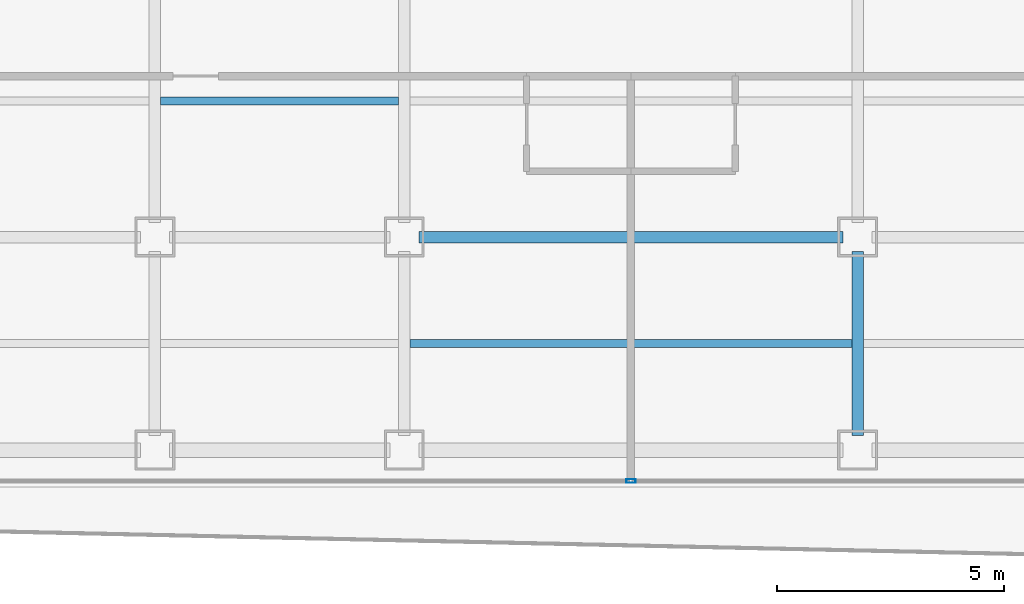
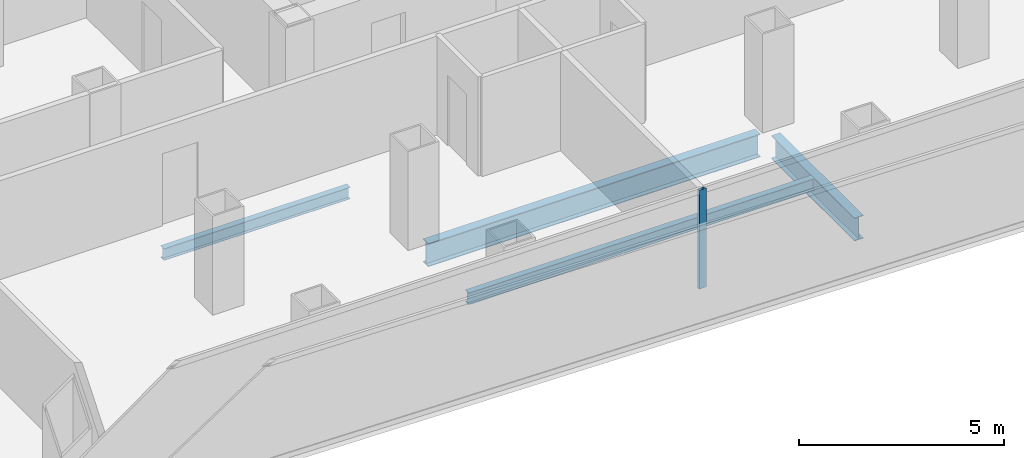
# One storey, part 4 of 21: 4 beams, 1 member, 1 element without a shape of its own.
"""IFC4 building model written with IfcOpenShell, lengths in metres."""

from ifc_helpers import new_model, si_unit, direction, frame, origin, origin_2d, place, context, subcontext, project, spatial, hollow_rectangle, i_section, extrude, source, transform, mapped, material, layer, layer_set, material_profile, profile_set, type_object, element, aggregate, save


model = new_model("IFC4")

# Units and contexts
model_context = context("Model", 3, precision=1e-05, world=origin(), true_north=direction((0.0, 1.0)))
body_context = subcontext(model_context, "Body", "Model", "MODEL_VIEW")
ifc_project = project(units=[si_unit("LENGTHUNIT", "METRE"), si_unit("AREAUNIT", "SQUARE_METRE"), si_unit("VOLUMEUNIT", "CUBIC_METRE"), si_unit("PLANEANGLEUNIT", "RADIAN"), si_unit("MASSUNIT", "GRAM", prefix="KILO")], contexts=[model_context])

# Site, building, storey
site_placement = place(None, origin())
site = spatial("IfcSite", under=ifc_project, at=site_placement, CompositionType="ELEMENT")
building_placement = place(site_placement, origin())
building = spatial("IfcBuilding", under=site, at=building_placement, Name="Kolveth Station Tower", CompositionType="ELEMENT")
storey_placement = place(building_placement, frame((0.0, 0.0, 134.300048828125)))
storey = spatial("IfcBuildingStorey", under=building, at=storey_placement, Name="L37", CompositionType="ELEMENT", Elevation=134.300048828125)

# Beams
ifc_material_1 = material(Name="Steel S355", Category="steel")
ifc_material_profile_1 = material_profile(ifc_material_1, i_section(OverallWidth=0.25390625, OverallDepth=0.68798828125, WebThickness=0.01318359375, FlangeThickness=0.02099609375, at=origin_2d()), Name="W690x152")
ifc_profile_set_1 = profile_set([ifc_material_profile_1], Name="Steel S355")
beam_type_1 = type_object("IfcBeamType", Name="Beam_B4", PredefinedType="BEAM", material=ifc_profile_set_1)
shared_shape_1 = source(origin(), body_context, "Body", "SweptSolid", [
    extrude(i_section(OverallWidth=0.25390625, OverallDepth=0.68798828125, WebThickness=0.01318359375, FlangeThickness=0.02099609375, at=origin_2d()), origin(), (0.0, 0.0, 1.0), 9.35986328125),
])
beam_1_placement = place(storey_placement, frame((18.820068359375, 5.5, -0.593994140625), z_axis=(1.0, 0.0, 0.0), x_axis=(0.0, 1.0, 0.0)))
element("IfcBeam", 1, at=beam_1_placement, inside=storey, type_object=beam_type_1, Name="L37 Primary Girder BM-L37-GY55-4", PredefinedType="BEAM", context=body_context, shape_type="MappedRepresentation", body=[
    mapped(shared_shape_1, transform((0.0, 0.0, 0.0), x_axis=(1.0, 0.0, 0.0), y_axis=(0.0, 1.0, 0.0), z_axis=(0.0, 0.0, 1.0), scale=1.0)),
])
shared_shape_2 = source(origin(), body_context, "Body", "SweptSolid", [
    extrude(i_section(OverallWidth=0.25390625, OverallDepth=0.68798828125, WebThickness=0.01318359375, FlangeThickness=0.02099609375, at=origin_2d()), origin(), (0.0, 0.0, 1.0), 4.059814453125),
])
beam_2_placement = place(storey_placement, frame((28.5, 1.1201171875, -0.593994140625), z_axis=(0.0, 1.0, 0.0), x_axis=(-1.0, 0.0, 0.0)))
element("IfcBeam", 2, at=beam_2_placement, inside=storey, type_object=beam_type_1, Name="L37 Primary Girder BM-L37-GX285-1", PredefinedType="BEAM", context=body_context, shape_type="MappedRepresentation", body=[
    mapped(shared_shape_2, transform((0.0, 0.0, 0.0), x_axis=(1.0, 0.0, 0.0), y_axis=(0.0, 1.0, 0.0), z_axis=(0.0, 0.0, 1.0), scale=1.0)),
])
ifc_material_profile_2 = material_profile(ifc_material_1, i_section(OverallWidth=0.1708984375, OverallDepth=0.35205078125, WebThickness=0.0068359375, FlangeThickness=0.009765625, at=origin_2d()), Name="W360x44")
ifc_profile_set_2 = profile_set([ifc_material_profile_2], Name="Steel S355")
beam_type_2 = type_object("IfcBeamType", Name="Beam_J2", PredefinedType="JOIST", material=ifc_profile_set_2)
shared_shape_3 = source(origin(), body_context, "Body", "SweptSolid", [
    extrude(i_section(OverallWidth=0.1708984375, OverallDepth=0.35205078125, WebThickness=0.0068359375, FlangeThickness=0.009765625, at=origin_2d()), origin(), (0.0, 0.0, 1.0), 5.25),
])
beam_3_placement = place(storey_placement, frame((13.125, 8.5, -0.426025390625), z_axis=(1.0, 0.0, 0.0), x_axis=(0.0, 1.0, 0.0)))
element("IfcBeam", 3, at=beam_3_placement, inside=storey, type_object=beam_type_2, Name="L37 Secondary Joist JST-L37-3-2", PredefinedType="JOIST", context=body_context, shape_type="MappedRepresentation", body=[
    mapped(shared_shape_3, transform((0.0, 0.0, 0.0), x_axis=(1.0, 0.0, 0.0), y_axis=(0.0, 1.0, 0.0), z_axis=(0.0, 0.0, 1.0), scale=1.0)),
])
shared_shape_4 = source(origin(), body_context, "Body", "SweptSolid", [
    extrude(i_section(OverallWidth=0.1708984375, OverallDepth=0.35205078125, WebThickness=0.0068359375, FlangeThickness=0.009765625, at=origin_2d()), origin(), (0.0, 0.0, 1.0), 9.75),
])
beam_4_placement = place(storey_placement, frame((18.625, 3.14990234375, -0.426025390625), z_axis=(1.0, 0.0, 0.0), x_axis=(0.0, 1.0, 0.0)))
element("IfcBeam", 4, at=beam_4_placement, inside=storey, type_object=beam_type_2, Name="L37 Secondary Joist JST-L37-4-1", PredefinedType="JOIST", context=body_context, shape_type="MappedRepresentation", body=[
    mapped(shared_shape_4, transform((0.0, 0.0, 0.0), x_axis=(1.0, 0.0, 0.0), y_axis=(0.0, 1.0, 0.0), z_axis=(0.0, 0.0, 1.0), scale=1.0)),
])

# Curtain wall, member
ifc_material_2 = material(Name="Aluminium 6063-T6 and low-E dark glass", Category="aluminium")
ifc_layer = layer(ifc_material_2, 0.18994140625)
ifc_layer_set = layer_set([ifc_layer], Name="Aluminium 6063-T6 and low-E dark glass")
curtain_wall_type = type_object("IfcCurtainWallType", Name="CurtainWall_CW-Z2", PredefinedType="NOTDEFINED", material=ifc_layer_set)
curtain_wall_placement = place(storey_placement, origin())
curtain_wall = element("IfcCurtainWall", 5, at=curtain_wall_placement, inside=storey, type_object=curtain_wall_type, Name="L37 Inner Thermal Curtain Wall 12", PredefinedType="NOTDEFINED")
ifc_material_3 = material(Name="Black anodized aluminium 6063-T6", Category="aluminium")
ifc_material_profile_3 = material_profile(ifc_material_3, hollow_rectangle(XDim=0.080078125, YDim=0.199951171875, WallThickness=0.0048828125, at=origin_2d()), Name="ALU-80x200x5")
ifc_profile_set_3 = profile_set([ifc_material_profile_3], Name="Black anodized aluminium 6063-T6")
member_type = type_object("IfcMemberType", Name="Mullion_ML2", PredefinedType="MULLION", material=ifc_profile_set_3)
shared_shape_5 = source(origin(), body_context, "Body", "SweptSolid", [
    extrude(hollow_rectangle(XDim=0.080078125, YDim=0.199951171875, WallThickness=0.0048828125, at=origin_2d()), origin(), (0.0, 0.0, 1.0), 2.949951171875),
])
member_placement = place(storey_placement, frame((23.5, 0.1201171875, 0.0), z_axis=(0.0, 0.0, 1.0), x_axis=(0.0, 1.0, 0.0)))
member = element("IfcMember", 6, at=member_placement, type_object=member_type, Name="CW-Z2 mullion 2", PredefinedType="MULLION", context=body_context, shape_type="MappedRepresentation", body=[
    mapped(shared_shape_5, transform((0.0, 0.0, 0.0), x_axis=(1.0, 0.0, 0.0), y_axis=(0.0, 1.0, 0.0), z_axis=(0.0, 0.0, 1.0), scale=1.0)),
])
aggregate(curtain_wall, [member])

save(model, "model.ifc")
